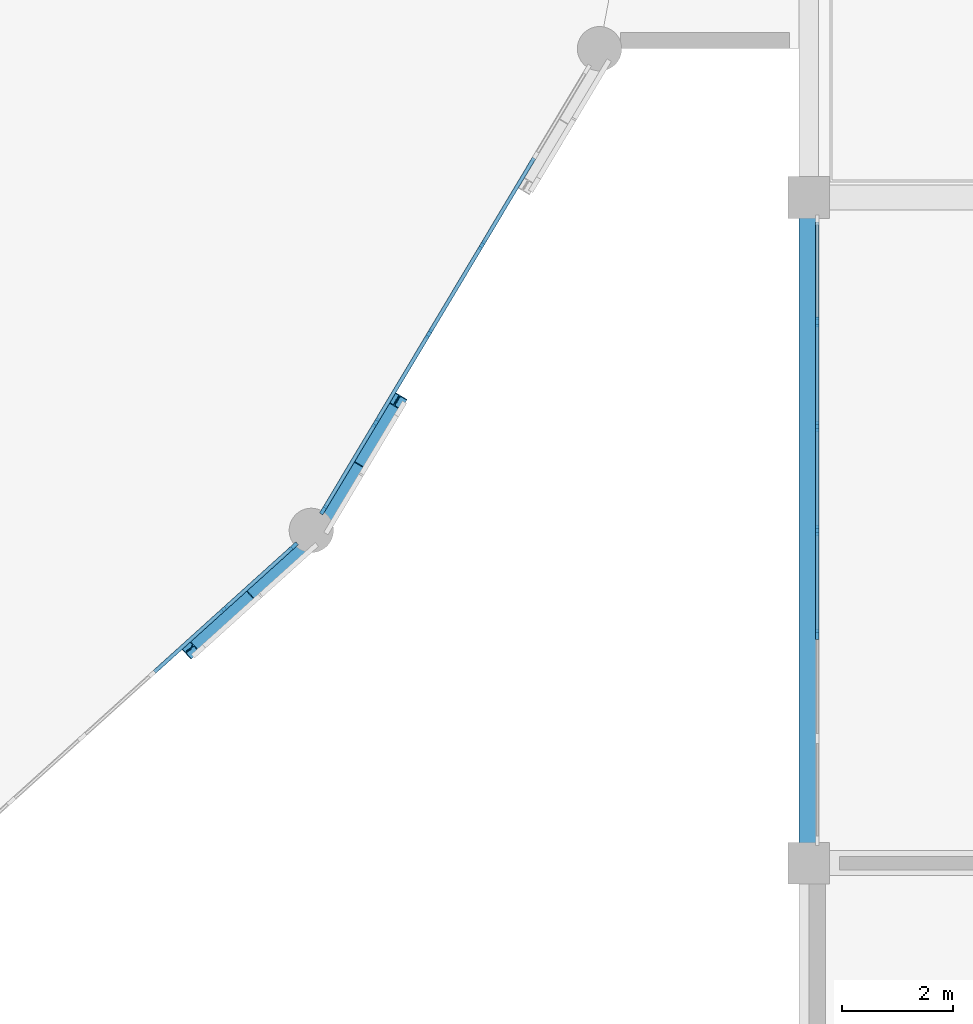
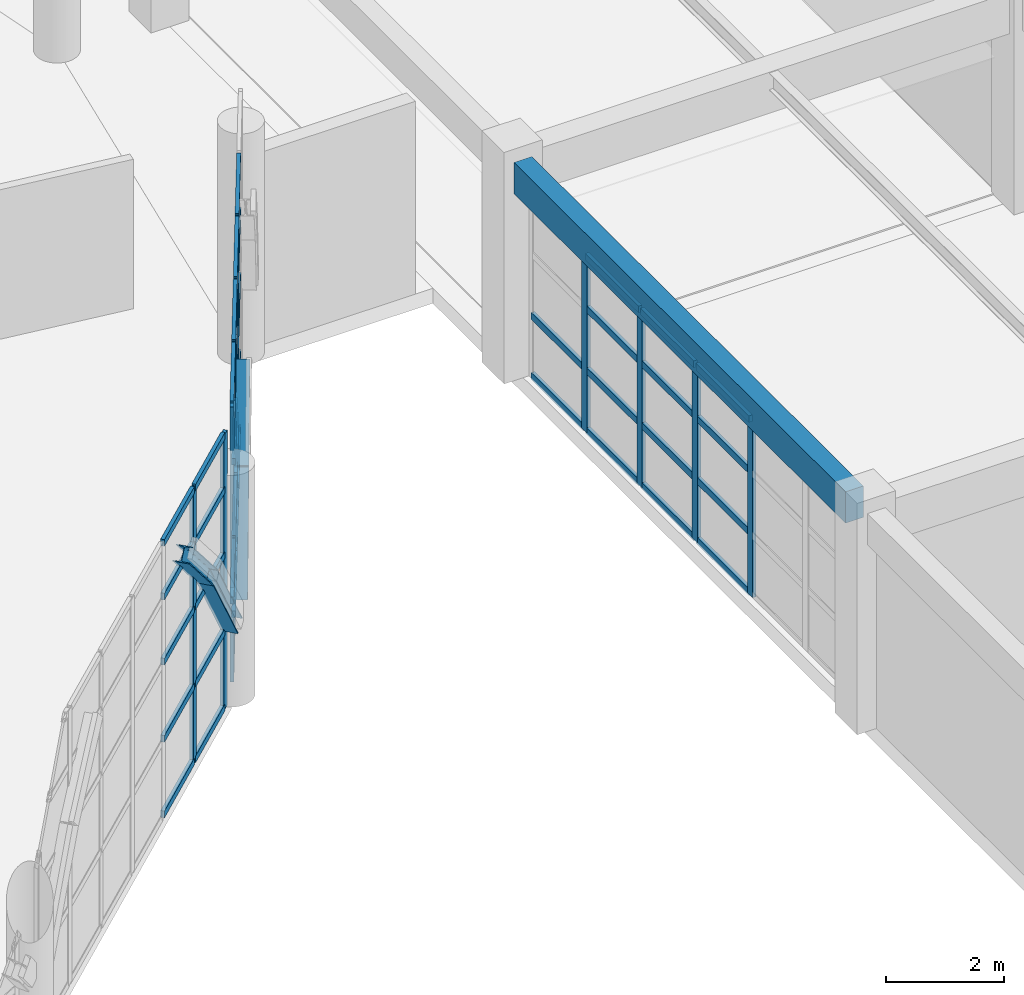
# One storey, part 41 of 109: 54 members, 5 beams, 3 elements without a shape of their own.
"""IFC4 building model written with IfcOpenShell, lengths in metres."""

from ifc_helpers import new_model, si_unit, direction, frame, origin, origin_2d, place, context, subcontext, project, spatial, rectangle, i_section, extrude, material, layer, layer_set, material_profile, profile_set, type_object, element, aggregate, save


model = new_model("IFC4")

# Units and contexts
model_context = context("Model", 3, precision=1e-05, world=origin(), true_north=direction((0.0, 1.0)))
body_context = subcontext(model_context, "Body", "Model", "MODEL_VIEW")
ifc_project = project(units=[si_unit("LENGTHUNIT", "METRE"), si_unit("AREAUNIT", "SQUARE_METRE"), si_unit("VOLUMEUNIT", "CUBIC_METRE"), si_unit("PLANEANGLEUNIT", "RADIAN"), si_unit("MASSUNIT", "GRAM", prefix="KILO")], contexts=[model_context])

# Site, building, storey
site_placement = place(None, origin())
site = spatial("IfcSite", under=ifc_project, at=site_placement, CompositionType="ELEMENT")
building_placement = place(site_placement, origin())
building = spatial("IfcBuilding", under=site, at=building_placement, Name="Kivolera Central Railway Station", CompositionType="ELEMENT")
storey_placement = place(building_placement, frame((0.0, 0.0, 9.60009765625)))
storey = spatial("IfcBuildingStorey", under=building, at=storey_placement, Name="L02", CompositionType="ELEMENT", Elevation=9.60009765625)

# Beams
ifc_material_1 = material(Name="Steel S355", Category="steel")
ifc_material_profile_1 = material_profile(ifc_material_1, i_section(OverallWidth=0.300048828125, OverallDepth=0.300048828125, WebThickness=0.010986328125, FlangeThickness=0.01904296875, FilletRadius=0.027099609375, at=origin_2d()), Name="HEB 300")
ifc_profile_set_1 = profile_set([ifc_material_profile_1], Name="Steel S355")
beam_type_1 = type_object("IfcBeamType", Name="BM-LANT-ARCH", PredefinedType="SPANDREL", material=ifc_profile_set_1)
beam_1_placement = place(storey_placement, frame((106.839111328125, 69.85791015625, 4.9599609375), z_axis=(0.52351035726, 0.473143471576, -0.708570505417), x_axis=(-0.670516775803, 0.741894368065, 0.0)))
element("IfcBeam", 1, at=beam_1_placement, inside=storey, type_object=beam_type_1, Name="Oval Lantern Structural Arch Rib 22.5", PredefinedType="SPANDREL", context=body_context, shape_type="SweptSolid", body=[
    extrude(i_section(OverallWidth=0.300048828125, OverallDepth=0.300048828125, WebThickness=0.010986328125, FlangeThickness=0.01904296875, FilletRadius=0.027099609375, at=origin_2d()), origin(), (0.0, 0.0, 1.0), 1.91943359375),
])
beam_2_placement = place(storey_placement, frame((107.843994140625, 70.76611328125, 3.599853515625), z_axis=(0.431185404632, 0.388705114828, -0.814240431653), x_axis=(-0.669571929078, 0.742747219309, 0.0)))
element("IfcBeam", 2, at=beam_2_placement, inside=storey, type_object=beam_type_1, Name="Oval Lantern Structural Arch Rib 22.6", PredefinedType="SPANDREL", context=body_context, shape_type="SweptSolid", body=[
    extrude(i_section(OverallWidth=0.300048828125, OverallDepth=0.300048828125, WebThickness=0.010986328125, FlangeThickness=0.01904296875, FilletRadius=0.027099609375, at=origin_2d()), origin(), (0.0, 0.0, 1.0), 2.333251953125),
])
beam_3_placement = place(storey_placement, frame((109.318115234375, 72.242919921875, 1.699951171875), z_axis=(0.277874179709, 0.464672179987, 0.840753058512), x_axis=(-0.858249099835, 0.513233360794, 0.0)))
element("IfcBeam", 3, at=beam_3_placement, inside=storey, type_object=beam_type_1, Name="Oval Lantern Structural Arch Rib 23.1", PredefinedType="SPANDREL", context=body_context, shape_type="SweptSolid", body=[
    extrude(i_section(OverallWidth=0.300048828125, OverallDepth=0.300048828125, WebThickness=0.010986328125, FlangeThickness=0.01904296875, FilletRadius=0.027099609375, at=origin_2d()), origin(), (0.0, 0.0, 1.0), 2.259765625),
])
beam_4_placement = place(storey_placement, frame((109.946044921875, 73.29296875, 3.599853515625), z_axis=(0.343344267824, 0.573619875132, 0.743690091776), x_axis=(-0.858038634745, 0.513585145116, 0.0)))
element("IfcBeam", 4, at=beam_4_placement, inside=storey, type_object=beam_type_1, Name="Oval Lantern Structural Arch Rib 23.2", PredefinedType="SPANDREL", context=body_context, shape_type="SweptSolid", body=[
    extrude(i_section(OverallWidth=0.300048828125, OverallDepth=0.300048828125, WebThickness=0.010986328125, FlangeThickness=0.01904296875, FilletRadius=0.027099609375, at=origin_2d()), origin(), (0.0, 0.0, 1.0), 1.828857421875),
])
ifc_material_2 = material(Name="Concrete C40/50", Category="concrete")
ifc_material_profile_2 = material_profile(ifc_material_2, rectangle(XDim=0.35009765625, YDim=0.64990234375, at=origin_2d()), Name="RC 350x650")
ifc_profile_set_2 = profile_set([ifc_material_profile_2], Name="Concrete C40/50")
beam_type_2 = type_object("IfcBeamType", Name="BM-SPN-RC650", PredefinedType="SPANDREL", material=ifc_profile_set_2)
beam_5_placement = place(storey_placement, frame((118.0, 66.366943359375, 4.19482421875), z_axis=(0.0, 1.0, 0.0), x_axis=(-1.0, 0.0, 0.0)))
element("IfcBeam", 5, at=beam_5_placement, inside=storey, type_object=beam_type_2, Name="L02 Wing Y-Beam 12:F-G", PredefinedType="SPANDREL", context=body_context, shape_type="SweptSolid", body=[
    extrude(rectangle(XDim=0.35009765625, YDim=0.64990234375, at=origin_2d()), origin(), (0.0, 0.0, 1.0), 11.26611328125),
])

# Curtain wall, members
ifc_material_3 = material(Name="Anodised aluminium", Category="aluminium")
ifc_layer_1 = layer(ifc_material_3, 0.179931640625, Name="Anodised aluminium")
ifc_layer_set_1 = layer_set([ifc_layer_1], Name="Anodised aluminium")
curtain_wall_type_1 = type_object("IfcCurtainWallType", Name="CW-SYS-06", PredefinedType="NOTDEFINED", material=ifc_layer_set_1)
curtain_wall_1_placement = place(storey_placement, origin())
curtain_wall_1 = element("IfcCurtainWall", 6, at=curtain_wall_1_placement, inside=storey, type_object=curtain_wall_type_1, Name="L02 Curtain Wall CW-L02-OVL-21", PredefinedType="NOTDEFINED")
ifc_material_profile_3 = material_profile(ifc_material_3, rectangle(XDim=0.070068359375, YDim=0.179931640625, at=origin_2d()), Name="ALU MULL 70x180")
ifc_profile_set_3 = profile_set([ifc_material_profile_3], Name="Anodised aluminium")
member_type_1 = type_object("IfcMemberType", Name="CWM-MUL-1", PredefinedType="MULLION", material=ifc_profile_set_3)
member_1_placement = place(storey_placement, frame((108.7099609375, 71.70849609375, -0.005126953125), z_axis=(0.0, 0.0, 1.0), x_axis=(0.66992157428, -0.742431871833, 0.0)))
member_1 = element("IfcMember", 7, at=member_1_placement, type_object=member_type_1, Name="CW-06 mullion 1", PredefinedType="MULLION", context=body_context, shape_type="SweptSolid", body=[
    extrude(rectangle(XDim=0.070068359375, YDim=0.179931640625, at=origin_2d()), origin(), (0.0, 0.0, 1.0), 5.705078125),
])
member_2_placement = place(storey_placement, frame((107.457763671875, 70.57861328125, -0.005126953125), z_axis=(0.0, 0.0, 1.0), x_axis=(0.66992157428, -0.742431871833, 0.0)))
member_2 = element("IfcMember", 8, at=member_2_placement, type_object=member_type_1, Name="CW-06 mullion 2", PredefinedType="MULLION", context=body_context, shape_type="SweptSolid", body=[
    extrude(rectangle(XDim=0.070068359375, YDim=0.179931640625, at=origin_2d()), origin(), (0.0, 0.0, 1.0), 5.705078125),
])

ifc_layer_2 = layer(ifc_material_3, 0.179931640625, Name="Anodised aluminium")
ifc_layer_set_2 = layer_set([ifc_layer_2], Name="Anodised aluminium")
curtain_wall_type_2 = type_object("IfcCurtainWallType", Name="CW-SYS-03", PredefinedType="NOTDEFINED", material=ifc_layer_set_2)
curtain_wall_2_placement = place(storey_placement, origin())
curtain_wall_2 = element("IfcCurtainWall", 9, at=curtain_wall_2_placement, inside=storey, type_object=curtain_wall_type_2, Name="L02 Curtain Wall CW-L02-OVL-22", PredefinedType="NOTDEFINED")
member_3_placement = place(storey_placement, frame((112.10888671875, 77.14111328125, -0.005126953125), z_axis=(0.0, 0.0, 1.0), x_axis=(0.858117186396, -0.513453887327, 0.0)))
member_3 = element("IfcMember", 10, at=member_3_placement, type_object=member_type_1, Name="CW-03 mullion 3", PredefinedType="MULLION", context=body_context, shape_type="SweptSolid", body=[
    extrude(rectangle(XDim=0.070068359375, YDim=0.179931640625, at=origin_2d()), origin(), (0.0, 0.0, 1.0), 5.705078125),
])
member_4_placement = place(storey_placement, frame((111.152099609375, 75.541748046875, -0.005126953125), z_axis=(0.0, 0.0, 1.0), x_axis=(0.858117186396, -0.513453887327, 0.0)))
member_4 = element("IfcMember", 11, at=member_4_placement, type_object=member_type_1, Name="CW-03 mullion 4", PredefinedType="MULLION", context=body_context, shape_type="SweptSolid", body=[
    extrude(rectangle(XDim=0.070068359375, YDim=0.179931640625, at=origin_2d()), origin(), (0.0, 0.0, 1.0), 5.705078125),
])
member_5_placement = place(storey_placement, frame((110.195068359375, 73.9423828125, -0.005126953125), z_axis=(0.0, 0.0, 1.0), x_axis=(0.858117186396, -0.513453887327, 0.0)))
member_5 = element("IfcMember", 12, at=member_5_placement, type_object=member_type_1, Name="CW-03 mullion 5", PredefinedType="MULLION", context=body_context, shape_type="SweptSolid", body=[
    extrude(rectangle(XDim=0.070068359375, YDim=0.179931640625, at=origin_2d()), origin(), (0.0, 0.0, 1.0), 5.705078125),
])
member_6_placement = place(storey_placement, frame((109.255859375, 72.373046875, -0.005126953125), z_axis=(0.0, 0.0, 1.0), x_axis=(0.858117186396, -0.513453887327, 0.0)))
member_6 = element("IfcMember", 13, at=member_6_placement, type_object=member_type_1, Name="CW-03 mullion 6", PredefinedType="MULLION", context=body_context, shape_type="SweptSolid", body=[
    extrude(rectangle(XDim=0.070068359375, YDim=0.179931640625, at=origin_2d()), origin(), (0.0, 0.0, 1.0), 5.705078125),
])

ifc_layer_3 = layer(ifc_material_3, 0.179931640625, Name="Anodised aluminium")
ifc_layer_set_3 = layer_set([ifc_layer_3], Name="Anodised aluminium")
curtain_wall_type_3 = type_object("IfcCurtainWallType", Name="CW-SYS-28", PredefinedType="NOTDEFINED", material=ifc_layer_set_3)
curtain_wall_3_placement = place(storey_placement, origin())
curtain_wall_3 = element("IfcCurtainWall", 14, at=curtain_wall_3_placement, inside=storey, type_object=curtain_wall_type_3, Name="L02 Curtain Wall CW-L02-WEST-F", PredefinedType="NOTDEFINED")
member_7_placement = place(storey_placement, frame((118.153076171875, 70.123291015625, -0.005126953125), z_axis=(0.0, 0.0, 1.0), x_axis=(-1.0, 0.0, 0.0)))
member_7 = element("IfcMember", 15, at=member_7_placement, type_object=member_type_1, Name="CW-28 mullion 3", PredefinedType="MULLION", context=body_context, shape_type="SweptSolid", body=[
    extrude(rectangle(XDim=0.070068359375, YDim=0.179931640625, at=origin_2d()), origin(), (0.0, 0.0, 1.0), 3.6630859375),
])
member_8_placement = place(storey_placement, frame((118.153076171875, 72.0, -0.005126953125), z_axis=(0.0, 0.0, 1.0), x_axis=(-1.0, 0.0, 0.0)))
member_8 = element("IfcMember", 16, at=member_8_placement, type_object=member_type_1, Name="CW-28 mullion 4", PredefinedType="MULLION", context=body_context, shape_type="SweptSolid", body=[
    extrude(rectangle(XDim=0.070068359375, YDim=0.179931640625, at=origin_2d()), origin(), (0.0, 0.0, 1.0), 3.6630859375),
])
member_9_placement = place(storey_placement, frame((118.153076171875, 73.876708984375, -0.005126953125), z_axis=(0.0, 0.0, 1.0), x_axis=(-1.0, 0.0, 0.0)))
member_9 = element("IfcMember", 17, at=member_9_placement, type_object=member_type_1, Name="CW-28 mullion 5", PredefinedType="MULLION", context=body_context, shape_type="SweptSolid", body=[
    extrude(rectangle(XDim=0.070068359375, YDim=0.179931640625, at=origin_2d()), origin(), (0.0, 0.0, 1.0), 3.6630859375),
])
member_10_placement = place(storey_placement, frame((118.153076171875, 75.75341796875, -0.005126953125), z_axis=(0.0, 0.0, 1.0), x_axis=(-1.0, 0.0, 0.0)))
member_10 = element("IfcMember", 18, at=member_10_placement, type_object=member_type_1, Name="CW-28 mullion 6", PredefinedType="MULLION", context=body_context, shape_type="SweptSolid", body=[
    extrude(rectangle(XDim=0.070068359375, YDim=0.179931640625, at=origin_2d()), origin(), (0.0, 0.0, 1.0), 3.6630859375),
])

# Member
ifc_material_profile_4 = material_profile(ifc_material_3, rectangle(XDim=0.070068359375, YDim=0.139892578125, at=origin_2d()), Name="ALU TRAN 70x140")
ifc_profile_set_4 = profile_set([ifc_material_profile_4], Name="Anodised aluminium")
member_type_2 = type_object("IfcMemberType", Name="CWM-TRN-1", PredefinedType="USERDEFINED", material=ifc_profile_set_4)
member_11_placement = place(storey_placement, frame((108.68408203125, 71.68505859375, 0.034912109375), z_axis=(-0.742422429893, -0.66993203804, 0.0), x_axis=(0.66993203804, -0.742422429893, 0.0)))
member_11 = element("IfcMember", 19, at=member_11_placement, type_object=member_type_2, Name="CW-06 transom 1.1", ObjectType="TRANSOM", PredefinedType="USERDEFINED", context=body_context, shape_type="SweptSolid", body=[
    extrude(rectangle(XDim=0.070068359375, YDim=0.139892578125, at=origin_2d()), origin(), (0.0, 0.0, 1.0), 1.61669921875),
])

member_12_placement = place(storey_placement, frame((108.68408203125, 71.68505859375, 1.599853515625), z_axis=(-0.742422429893, -0.66993203804, 0.0), x_axis=(0.66993203804, -0.742422429893, 0.0)))
member_12 = element("IfcMember", 20, at=member_12_placement, type_object=member_type_2, Name="CW-06 transom 1.2", ObjectType="TRANSOM", PredefinedType="USERDEFINED", context=body_context, shape_type="SweptSolid", body=[
    extrude(rectangle(XDim=0.070068359375, YDim=0.139892578125, at=origin_2d()), origin(), (0.0, 0.0, 1.0), 1.61669921875),
])

member_13_placement = place(storey_placement, frame((108.68408203125, 71.68505859375, 3.199951171875), z_axis=(-0.742422429893, -0.66993203804, 0.0), x_axis=(0.66993203804, -0.742422429893, 0.0)))
member_13 = element("IfcMember", 21, at=member_13_placement, type_object=member_type_2, Name="CW-06 transom 1.3", ObjectType="TRANSOM", PredefinedType="USERDEFINED", context=body_context, shape_type="SweptSolid", body=[
    extrude(rectangle(XDim=0.070068359375, YDim=0.139892578125, at=origin_2d()), origin(), (0.0, 0.0, 1.0), 1.61669921875),
])

member_14_placement = place(storey_placement, frame((108.68408203125, 71.68505859375, 4.5498046875), z_axis=(-0.742422429893, -0.66993203804, 0.0), x_axis=(0.66993203804, -0.742422429893, 0.0)))
member_14 = element("IfcMember", 22, at=member_14_placement, type_object=member_type_2, Name="CW-06 transom 1.4", ObjectType="TRANSOM", PredefinedType="USERDEFINED", context=body_context, shape_type="SweptSolid", body=[
    extrude(rectangle(XDim=0.070068359375, YDim=0.139892578125, at=origin_2d()), origin(), (0.0, 0.0, 1.0), 1.61669921875),
])

member_15_placement = place(storey_placement, frame((108.68408203125, 71.68505859375, 5.664794921875), z_axis=(-0.742422429893, -0.66993203804, 0.0), x_axis=(0.66993203804, -0.742422429893, 0.0)))
member_15 = element("IfcMember", 23, at=member_15_placement, type_object=member_type_2, Name="CW-06 transom 1.5", ObjectType="TRANSOM", PredefinedType="USERDEFINED", context=body_context, shape_type="SweptSolid", body=[
    extrude(rectangle(XDim=0.070068359375, YDim=0.139892578125, at=origin_2d()), origin(), (0.0, 0.0, 1.0), 1.61669921875),
])

member_16_placement = place(storey_placement, frame((107.431884765625, 70.55517578125, 0.034912109375), z_axis=(-0.74246304586, -0.669887024455, 0.0), x_axis=(0.669887024455, -0.74246304586, 0.0)))
member_16 = element("IfcMember", 24, at=member_16_placement, type_object=member_type_2, Name="CW-06 transom 2.1", ObjectType="TRANSOM", PredefinedType="USERDEFINED", context=body_context, shape_type="SweptSolid", body=[
    extrude(rectangle(XDim=0.070068359375, YDim=0.139892578125, at=origin_2d()), origin(), (0.0, 0.0, 1.0), 1.651611328125),
])

member_17_placement = place(storey_placement, frame((107.431884765625, 70.55517578125, 1.599853515625), z_axis=(-0.74246304586, -0.669887024455, 0.0), x_axis=(0.669887024455, -0.74246304586, 0.0)))
member_17 = element("IfcMember", 25, at=member_17_placement, type_object=member_type_2, Name="CW-06 transom 2.2", ObjectType="TRANSOM", PredefinedType="USERDEFINED", context=body_context, shape_type="SweptSolid", body=[
    extrude(rectangle(XDim=0.070068359375, YDim=0.139892578125, at=origin_2d()), origin(), (0.0, 0.0, 1.0), 1.651611328125),
])

member_18_placement = place(storey_placement, frame((107.431884765625, 70.55517578125, 3.199951171875), z_axis=(-0.74246304586, -0.669887024455, 0.0), x_axis=(0.669887024455, -0.74246304586, 0.0)))
member_18 = element("IfcMember", 26, at=member_18_placement, type_object=member_type_2, Name="CW-06 transom 2.3", ObjectType="TRANSOM", PredefinedType="USERDEFINED", context=body_context, shape_type="SweptSolid", body=[
    extrude(rectangle(XDim=0.070068359375, YDim=0.139892578125, at=origin_2d()), origin(), (0.0, 0.0, 1.0), 1.651611328125),
])

member_19_placement = place(storey_placement, frame((107.431884765625, 70.55517578125, 4.5498046875), z_axis=(-0.74246304586, -0.669887024455, 0.0), x_axis=(0.669887024455, -0.74246304586, 0.0)))
member_19 = element("IfcMember", 27, at=member_19_placement, type_object=member_type_2, Name="CW-06 transom 2.4", ObjectType="TRANSOM", PredefinedType="USERDEFINED", context=body_context, shape_type="SweptSolid", body=[
    extrude(rectangle(XDim=0.070068359375, YDim=0.139892578125, at=origin_2d()), origin(), (0.0, 0.0, 1.0), 1.651611328125),
])

member_20_placement = place(storey_placement, frame((107.431884765625, 70.55517578125, 5.664794921875), z_axis=(-0.74246304586, -0.669887024455, 0.0), x_axis=(0.669887024455, -0.74246304586, 0.0)))
member_20 = element("IfcMember", 28, at=member_20_placement, type_object=member_type_2, Name="CW-06 transom 2.5", ObjectType="TRANSOM", PredefinedType="USERDEFINED", context=body_context, shape_type="SweptSolid", body=[
    extrude(rectangle(XDim=0.070068359375, YDim=0.139892578125, at=origin_2d()), origin(), (0.0, 0.0, 1.0), 1.651611328125),
])

aggregate(curtain_wall_1, [member_1, member_2, member_11, member_12, member_13, member_14, member_15, member_16, member_17, member_18, member_19, member_20])

member_21_placement = place(storey_placement, frame((113.048095703125, 78.71044921875, 0.034912109375), z_axis=(-0.513494690452, -0.858092770554, 0.0), x_axis=(0.858092770554, -0.513494690452, 0.0)))
member_21 = element("IfcMember", 29, at=member_21_placement, type_object=member_type_2, Name="CW-03 transom 2.1", ObjectType="TRANSOM", PredefinedType="USERDEFINED", context=body_context, shape_type="SweptSolid", body=[
    extrude(rectangle(XDim=0.070068359375, YDim=0.139892578125, at=origin_2d()), origin(), (0.0, 0.0, 1.0), 1.7939453125),
])

member_22_placement = place(storey_placement, frame((113.048095703125, 78.71044921875, 1.599853515625), z_axis=(-0.513494690452, -0.858092770554, 0.0), x_axis=(0.858092770554, -0.513494690452, 0.0)))
member_22 = element("IfcMember", 30, at=member_22_placement, type_object=member_type_2, Name="CW-03 transom 2.2", ObjectType="TRANSOM", PredefinedType="USERDEFINED", context=body_context, shape_type="SweptSolid", body=[
    extrude(rectangle(XDim=0.070068359375, YDim=0.139892578125, at=origin_2d()), origin(), (0.0, 0.0, 1.0), 1.7939453125),
])

member_23_placement = place(storey_placement, frame((113.048095703125, 78.71044921875, 3.199951171875), z_axis=(-0.513494690452, -0.858092770554, 0.0), x_axis=(0.858092770554, -0.513494690452, 0.0)))
member_23 = element("IfcMember", 31, at=member_23_placement, type_object=member_type_2, Name="CW-03 transom 2.3", ObjectType="TRANSOM", PredefinedType="USERDEFINED", context=body_context, shape_type="SweptSolid", body=[
    extrude(rectangle(XDim=0.070068359375, YDim=0.139892578125, at=origin_2d()), origin(), (0.0, 0.0, 1.0), 1.7939453125),
])

member_24_placement = place(storey_placement, frame((113.048095703125, 78.71044921875, 4.5498046875), z_axis=(-0.513494690452, -0.858092770554, 0.0), x_axis=(0.858092770554, -0.513494690452, 0.0)))
member_24 = element("IfcMember", 32, at=member_24_placement, type_object=member_type_2, Name="CW-03 transom 2.4", ObjectType="TRANSOM", PredefinedType="USERDEFINED", context=body_context, shape_type="SweptSolid", body=[
    extrude(rectangle(XDim=0.070068359375, YDim=0.139892578125, at=origin_2d()), origin(), (0.0, 0.0, 1.0), 1.7939453125),
])

member_25_placement = place(storey_placement, frame((113.048095703125, 78.71044921875, 5.664794921875), z_axis=(-0.513494690452, -0.858092770554, 0.0), x_axis=(0.858092770554, -0.513494690452, 0.0)))
member_25 = element("IfcMember", 33, at=member_25_placement, type_object=member_type_2, Name="CW-03 transom 2.5", ObjectType="TRANSOM", PredefinedType="USERDEFINED", context=body_context, shape_type="SweptSolid", body=[
    extrude(rectangle(XDim=0.070068359375, YDim=0.139892578125, at=origin_2d()), origin(), (0.0, 0.0, 1.0), 1.7939453125),
])

member_26_placement = place(storey_placement, frame((112.091064453125, 77.111083984375, 0.034912109375), z_axis=(-0.513494690452, -0.858092770554, 0.0), x_axis=(0.858092770554, -0.513494690452, 0.0)))
member_26 = element("IfcMember", 34, at=member_26_placement, type_object=member_type_2, Name="CW-03 transom 3.1", ObjectType="TRANSOM", PredefinedType="USERDEFINED", context=body_context, shape_type="SweptSolid", body=[
    extrude(rectangle(XDim=0.070068359375, YDim=0.139892578125, at=origin_2d()), origin(), (0.0, 0.0, 1.0), 1.7939453125),
])

member_27_placement = place(storey_placement, frame((112.091064453125, 77.111083984375, 1.599853515625), z_axis=(-0.513494690452, -0.858092770554, 0.0), x_axis=(0.858092770554, -0.513494690452, 0.0)))
member_27 = element("IfcMember", 35, at=member_27_placement, type_object=member_type_2, Name="CW-03 transom 3.2", ObjectType="TRANSOM", PredefinedType="USERDEFINED", context=body_context, shape_type="SweptSolid", body=[
    extrude(rectangle(XDim=0.070068359375, YDim=0.139892578125, at=origin_2d()), origin(), (0.0, 0.0, 1.0), 1.7939453125),
])

member_28_placement = place(storey_placement, frame((112.091064453125, 77.111083984375, 3.199951171875), z_axis=(-0.513494690452, -0.858092770554, 0.0), x_axis=(0.858092770554, -0.513494690452, 0.0)))
member_28 = element("IfcMember", 36, at=member_28_placement, type_object=member_type_2, Name="CW-03 transom 3.3", ObjectType="TRANSOM", PredefinedType="USERDEFINED", context=body_context, shape_type="SweptSolid", body=[
    extrude(rectangle(XDim=0.070068359375, YDim=0.139892578125, at=origin_2d()), origin(), (0.0, 0.0, 1.0), 1.7939453125),
])

member_29_placement = place(storey_placement, frame((112.091064453125, 77.111083984375, 4.5498046875), z_axis=(-0.513494690452, -0.858092770554, 0.0), x_axis=(0.858092770554, -0.513494690452, 0.0)))
member_29 = element("IfcMember", 37, at=member_29_placement, type_object=member_type_2, Name="CW-03 transom 3.4", ObjectType="TRANSOM", PredefinedType="USERDEFINED", context=body_context, shape_type="SweptSolid", body=[
    extrude(rectangle(XDim=0.070068359375, YDim=0.139892578125, at=origin_2d()), origin(), (0.0, 0.0, 1.0), 1.7939453125),
])

member_30_placement = place(storey_placement, frame((112.091064453125, 77.111083984375, 5.664794921875), z_axis=(-0.513494690452, -0.858092770554, 0.0), x_axis=(0.858092770554, -0.513494690452, 0.0)))
member_30 = element("IfcMember", 38, at=member_30_placement, type_object=member_type_2, Name="CW-03 transom 3.5", ObjectType="TRANSOM", PredefinedType="USERDEFINED", context=body_context, shape_type="SweptSolid", body=[
    extrude(rectangle(XDim=0.070068359375, YDim=0.139892578125, at=origin_2d()), origin(), (0.0, 0.0, 1.0), 1.7939453125),
])

member_31_placement = place(storey_placement, frame((111.134033203125, 75.51171875, 0.034912109375), z_axis=(-0.513494690452, -0.858092770554, 0.0), x_axis=(0.858092770554, -0.513494690452, 0.0)))
member_31 = element("IfcMember", 39, at=member_31_placement, type_object=member_type_2, Name="CW-03 transom 4.1", ObjectType="TRANSOM", PredefinedType="USERDEFINED", context=body_context, shape_type="SweptSolid", body=[
    extrude(rectangle(XDim=0.070068359375, YDim=0.139892578125, at=origin_2d()), origin(), (0.0, 0.0, 1.0), 1.7939453125),
])

member_32_placement = place(storey_placement, frame((111.134033203125, 75.51171875, 1.599853515625), z_axis=(-0.513494690452, -0.858092770554, 0.0), x_axis=(0.858092770554, -0.513494690452, 0.0)))
member_32 = element("IfcMember", 40, at=member_32_placement, type_object=member_type_2, Name="CW-03 transom 4.2", ObjectType="TRANSOM", PredefinedType="USERDEFINED", context=body_context, shape_type="SweptSolid", body=[
    extrude(rectangle(XDim=0.070068359375, YDim=0.139892578125, at=origin_2d()), origin(), (0.0, 0.0, 1.0), 1.7939453125),
])

member_33_placement = place(storey_placement, frame((111.134033203125, 75.51171875, 3.199951171875), z_axis=(-0.513494690452, -0.858092770554, 0.0), x_axis=(0.858092770554, -0.513494690452, 0.0)))
member_33 = element("IfcMember", 41, at=member_33_placement, type_object=member_type_2, Name="CW-03 transom 4.3", ObjectType="TRANSOM", PredefinedType="USERDEFINED", context=body_context, shape_type="SweptSolid", body=[
    extrude(rectangle(XDim=0.070068359375, YDim=0.139892578125, at=origin_2d()), origin(), (0.0, 0.0, 1.0), 1.7939453125),
])

member_34_placement = place(storey_placement, frame((111.134033203125, 75.51171875, 4.5498046875), z_axis=(-0.513494690452, -0.858092770554, 0.0), x_axis=(0.858092770554, -0.513494690452, 0.0)))
member_34 = element("IfcMember", 42, at=member_34_placement, type_object=member_type_2, Name="CW-03 transom 4.4", ObjectType="TRANSOM", PredefinedType="USERDEFINED", context=body_context, shape_type="SweptSolid", body=[
    extrude(rectangle(XDim=0.070068359375, YDim=0.139892578125, at=origin_2d()), origin(), (0.0, 0.0, 1.0), 1.7939453125),
])

member_35_placement = place(storey_placement, frame((111.134033203125, 75.51171875, 5.664794921875), z_axis=(-0.513494690452, -0.858092770554, 0.0), x_axis=(0.858092770554, -0.513494690452, 0.0)))
member_35 = element("IfcMember", 43, at=member_35_placement, type_object=member_type_2, Name="CW-03 transom 4.5", ObjectType="TRANSOM", PredefinedType="USERDEFINED", context=body_context, shape_type="SweptSolid", body=[
    extrude(rectangle(XDim=0.070068359375, YDim=0.139892578125, at=origin_2d()), origin(), (0.0, 0.0, 1.0), 1.7939453125),
])

member_36_placement = place(storey_placement, frame((110.177001953125, 73.912353515625, 0.034912109375), z_axis=(-0.513454309114, -0.85811693402, 0.0), x_axis=(0.85811693402, -0.513454309114, 0.0)))
member_36 = element("IfcMember", 44, at=member_36_placement, type_object=member_type_2, Name="CW-03 transom 5.1", ObjectType="TRANSOM", PredefinedType="USERDEFINED", context=body_context, shape_type="SweptSolid", body=[
    extrude(rectangle(XDim=0.070068359375, YDim=0.139892578125, at=origin_2d()), origin(), (0.0, 0.0, 1.0), 1.7587890625),
])

member_37_placement = place(storey_placement, frame((110.177001953125, 73.912353515625, 1.599853515625), z_axis=(-0.513454309114, -0.85811693402, 0.0), x_axis=(0.85811693402, -0.513454309114, 0.0)))
member_37 = element("IfcMember", 45, at=member_37_placement, type_object=member_type_2, Name="CW-03 transom 5.2", ObjectType="TRANSOM", PredefinedType="USERDEFINED", context=body_context, shape_type="SweptSolid", body=[
    extrude(rectangle(XDim=0.070068359375, YDim=0.139892578125, at=origin_2d()), origin(), (0.0, 0.0, 1.0), 1.7587890625),
])

member_38_placement = place(storey_placement, frame((110.177001953125, 73.912353515625, 3.199951171875), z_axis=(-0.513454309114, -0.85811693402, 0.0), x_axis=(0.85811693402, -0.513454309114, 0.0)))
member_38 = element("IfcMember", 46, at=member_38_placement, type_object=member_type_2, Name="CW-03 transom 5.3", ObjectType="TRANSOM", PredefinedType="USERDEFINED", context=body_context, shape_type="SweptSolid", body=[
    extrude(rectangle(XDim=0.070068359375, YDim=0.139892578125, at=origin_2d()), origin(), (0.0, 0.0, 1.0), 1.7587890625),
])

member_39_placement = place(storey_placement, frame((110.177001953125, 73.912353515625, 4.5498046875), z_axis=(-0.513454309114, -0.85811693402, 0.0), x_axis=(0.85811693402, -0.513454309114, 0.0)))
member_39 = element("IfcMember", 47, at=member_39_placement, type_object=member_type_2, Name="CW-03 transom 5.4", ObjectType="TRANSOM", PredefinedType="USERDEFINED", context=body_context, shape_type="SweptSolid", body=[
    extrude(rectangle(XDim=0.070068359375, YDim=0.139892578125, at=origin_2d()), origin(), (0.0, 0.0, 1.0), 1.7587890625),
])

member_40_placement = place(storey_placement, frame((110.177001953125, 73.912353515625, 5.664794921875), z_axis=(-0.513454309114, -0.85811693402, 0.0), x_axis=(0.85811693402, -0.513454309114, 0.0)))
member_40 = element("IfcMember", 48, at=member_40_placement, type_object=member_type_2, Name="CW-03 transom 5.5", ObjectType="TRANSOM", PredefinedType="USERDEFINED", context=body_context, shape_type="SweptSolid", body=[
    extrude(rectangle(XDim=0.070068359375, YDim=0.139892578125, at=origin_2d()), origin(), (0.0, 0.0, 1.0), 1.7587890625),
])

aggregate(curtain_wall_2, [member_3, member_4, member_5, member_6, member_21, member_22, member_23, member_24, member_25, member_26, member_27, member_28, member_29, member_30, member_31, member_32, member_33, member_34, member_35, member_36, member_37, member_38, member_39, member_40])

member_41_placement = place(storey_placement, frame((118.153076171875, 70.158447265625, 0.034912109375), z_axis=(0.0, 1.0, 0.0), x_axis=(-1.0, 0.0, 0.0)))
member_41 = element("IfcMember", 49, at=member_41_placement, type_object=member_type_2, Name="CW-28 transom 3.1", ObjectType="TRANSOM", PredefinedType="USERDEFINED", context=body_context, shape_type="SweptSolid", body=[
    extrude(rectangle(XDim=0.070068359375, YDim=0.139892578125, at=origin_2d()), origin(), (0.0, 0.0, 1.0), 1.806640625),
])

member_42_placement = place(storey_placement, frame((118.153076171875, 70.158447265625, 1.2802734375), z_axis=(0.0, 1.0, 0.0), x_axis=(-1.0, 0.0, 0.0)))
member_42 = element("IfcMember", 50, at=member_42_placement, type_object=member_type_2, Name="CW-28 transom 3.2", ObjectType="TRANSOM", PredefinedType="USERDEFINED", context=body_context, shape_type="SweptSolid", body=[
    extrude(rectangle(XDim=0.070068359375, YDim=0.139892578125, at=origin_2d()), origin(), (0.0, 0.0, 1.0), 1.806640625),
])

member_43_placement = place(storey_placement, frame((118.153076171875, 70.158447265625, 2.560546875), z_axis=(0.0, 1.0, 0.0), x_axis=(-1.0, 0.0, 0.0)))
member_43 = element("IfcMember", 51, at=member_43_placement, type_object=member_type_2, Name="CW-28 transom 3.3", ObjectType="TRANSOM", PredefinedType="USERDEFINED", context=body_context, shape_type="SweptSolid", body=[
    extrude(rectangle(XDim=0.070068359375, YDim=0.139892578125, at=origin_2d()), origin(), (0.0, 0.0, 1.0), 1.806640625),
])

member_44_placement = place(storey_placement, frame((118.153076171875, 70.158447265625, 3.622802734375), z_axis=(0.0, 1.0, 0.0), x_axis=(-1.0, 0.0, 0.0)))
member_44 = element("IfcMember", 52, at=member_44_placement, type_object=member_type_2, Name="CW-28 transom 3.4", ObjectType="TRANSOM", PredefinedType="USERDEFINED", context=body_context, shape_type="SweptSolid", body=[
    extrude(rectangle(XDim=0.070068359375, YDim=0.139892578125, at=origin_2d()), origin(), (0.0, 0.0, 1.0), 1.806640625),
])

member_45_placement = place(storey_placement, frame((118.153076171875, 72.034912109375, 0.034912109375), z_axis=(0.0, 1.0, 0.0), x_axis=(-1.0, 0.0, 0.0)))
member_45 = element("IfcMember", 53, at=member_45_placement, type_object=member_type_2, Name="CW-28 transom 4.1", ObjectType="TRANSOM", PredefinedType="USERDEFINED", context=body_context, shape_type="SweptSolid", body=[
    extrude(rectangle(XDim=0.070068359375, YDim=0.139892578125, at=origin_2d()), origin(), (0.0, 0.0, 1.0), 1.806640625),
])

member_46_placement = place(storey_placement, frame((118.153076171875, 72.034912109375, 1.2802734375), z_axis=(0.0, 1.0, 0.0), x_axis=(-1.0, 0.0, 0.0)))
member_46 = element("IfcMember", 54, at=member_46_placement, type_object=member_type_2, Name="CW-28 transom 4.2", ObjectType="TRANSOM", PredefinedType="USERDEFINED", context=body_context, shape_type="SweptSolid", body=[
    extrude(rectangle(XDim=0.070068359375, YDim=0.139892578125, at=origin_2d()), origin(), (0.0, 0.0, 1.0), 1.806640625),
])

member_47_placement = place(storey_placement, frame((118.153076171875, 72.034912109375, 2.560546875), z_axis=(0.0, 1.0, 0.0), x_axis=(-1.0, 0.0, 0.0)))
member_47 = element("IfcMember", 55, at=member_47_placement, type_object=member_type_2, Name="CW-28 transom 4.3", ObjectType="TRANSOM", PredefinedType="USERDEFINED", context=body_context, shape_type="SweptSolid", body=[
    extrude(rectangle(XDim=0.070068359375, YDim=0.139892578125, at=origin_2d()), origin(), (0.0, 0.0, 1.0), 1.806640625),
])

member_48_placement = place(storey_placement, frame((118.153076171875, 72.034912109375, 3.622802734375), z_axis=(0.0, 1.0, 0.0), x_axis=(-1.0, 0.0, 0.0)))
member_48 = element("IfcMember", 56, at=member_48_placement, type_object=member_type_2, Name="CW-28 transom 4.4", ObjectType="TRANSOM", PredefinedType="USERDEFINED", context=body_context, shape_type="SweptSolid", body=[
    extrude(rectangle(XDim=0.070068359375, YDim=0.139892578125, at=origin_2d()), origin(), (0.0, 0.0, 1.0), 1.806640625),
])

member_49_placement = place(storey_placement, frame((118.153076171875, 73.91162109375, 0.034912109375), z_axis=(0.0, 1.0, 0.0), x_axis=(-1.0, 0.0, 0.0)))
member_49 = element("IfcMember", 57, at=member_49_placement, type_object=member_type_2, Name="CW-28 transom 5.1", ObjectType="TRANSOM", PredefinedType="USERDEFINED", context=body_context, shape_type="SweptSolid", body=[
    extrude(rectangle(XDim=0.070068359375, YDim=0.139892578125, at=origin_2d()), origin(), (0.0, 0.0, 1.0), 1.806640625),
])

member_50_placement = place(storey_placement, frame((118.153076171875, 73.91162109375, 1.2802734375), z_axis=(0.0, 1.0, 0.0), x_axis=(-1.0, 0.0, 0.0)))
member_50 = element("IfcMember", 58, at=member_50_placement, type_object=member_type_2, Name="CW-28 transom 5.2", ObjectType="TRANSOM", PredefinedType="USERDEFINED", context=body_context, shape_type="SweptSolid", body=[
    extrude(rectangle(XDim=0.070068359375, YDim=0.139892578125, at=origin_2d()), origin(), (0.0, 0.0, 1.0), 1.806640625),
])

member_51_placement = place(storey_placement, frame((118.153076171875, 73.91162109375, 2.560546875), z_axis=(0.0, 1.0, 0.0), x_axis=(-1.0, 0.0, 0.0)))
member_51 = element("IfcMember", 59, at=member_51_placement, type_object=member_type_2, Name="CW-28 transom 5.3", ObjectType="TRANSOM", PredefinedType="USERDEFINED", context=body_context, shape_type="SweptSolid", body=[
    extrude(rectangle(XDim=0.070068359375, YDim=0.139892578125, at=origin_2d()), origin(), (0.0, 0.0, 1.0), 1.806640625),
])

member_52_placement = place(storey_placement, frame((118.153076171875, 73.91162109375, 3.622802734375), z_axis=(0.0, 1.0, 0.0), x_axis=(-1.0, 0.0, 0.0)))
member_52 = element("IfcMember", 60, at=member_52_placement, type_object=member_type_2, Name="CW-28 transom 5.4", ObjectType="TRANSOM", PredefinedType="USERDEFINED", context=body_context, shape_type="SweptSolid", body=[
    extrude(rectangle(XDim=0.070068359375, YDim=0.139892578125, at=origin_2d()), origin(), (0.0, 0.0, 1.0), 1.806640625),
])

member_53_placement = place(storey_placement, frame((118.153076171875, 75.788330078125, 0.034912109375), z_axis=(0.0, 1.0, 0.0), x_axis=(-1.0, 0.0, 0.0)))
member_53 = element("IfcMember", 61, at=member_53_placement, type_object=member_type_2, Name="CW-28 transom 6.1", ObjectType="TRANSOM", PredefinedType="USERDEFINED", context=body_context, shape_type="SweptSolid", body=[
    extrude(rectangle(XDim=0.070068359375, YDim=0.139892578125, at=origin_2d()), origin(), (0.0, 0.0, 1.0), 1.771728515625),
])

member_54_placement = place(storey_placement, frame((118.153076171875, 75.788330078125, 1.2802734375), z_axis=(0.0, 1.0, 0.0), x_axis=(-1.0, 0.0, 0.0)))
member_54 = element("IfcMember", 62, at=member_54_placement, type_object=member_type_2, Name="CW-28 transom 6.2", ObjectType="TRANSOM", PredefinedType="USERDEFINED", context=body_context, shape_type="SweptSolid", body=[
    extrude(rectangle(XDim=0.070068359375, YDim=0.139892578125, at=origin_2d()), origin(), (0.0, 0.0, 1.0), 1.771728515625),
])

aggregate(curtain_wall_3, [member_7, member_8, member_9, member_10, member_41, member_42, member_43, member_44, member_45, member_46, member_47, member_48, member_49, member_50, member_51, member_52, member_53, member_54])

save(model, "model.ifc")
